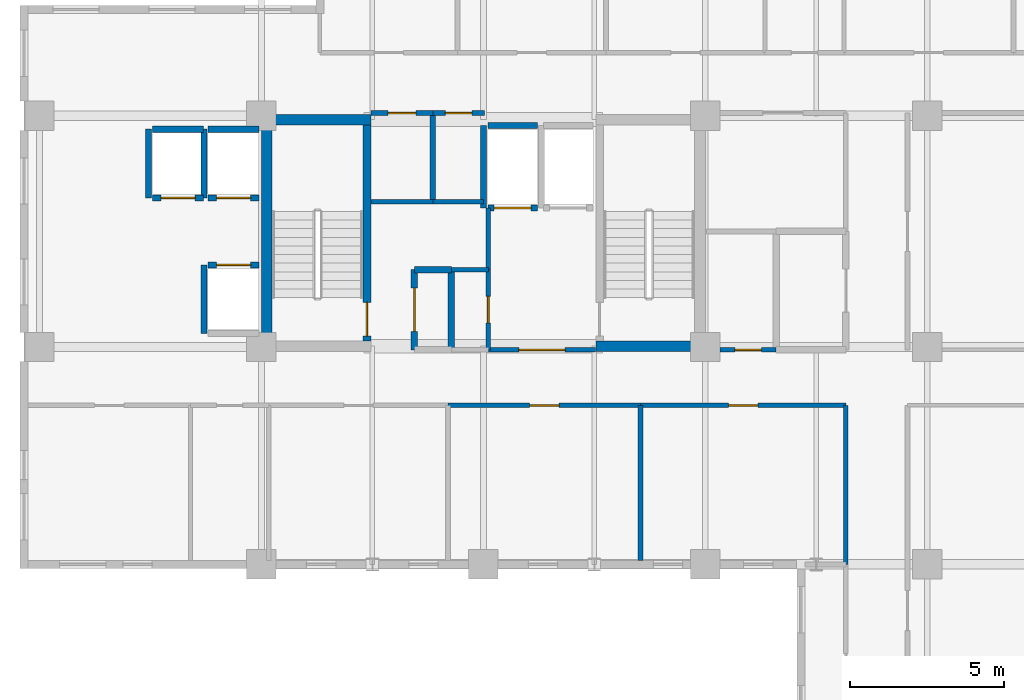
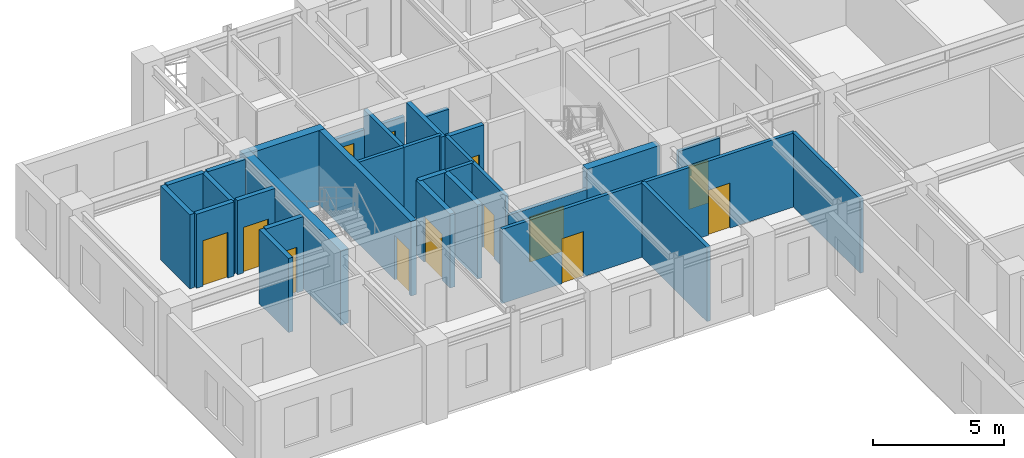
# One storey, part 6 of 13: 32 walls, 13 doors, 13 openings.
"""IFC4 building model written with IfcOpenShell, lengths in metres."""

from ifc_helpers import new_model, si_unit, direction, frame, frame_2d, origin, place, context, subcontext, project, spatial, rectangle, extrude, material, layer, layer_set, type_object, element, fill, save


model = new_model("IFC4")

# Units and contexts
model_context = context("Model", 3, precision=1e-05, world=origin(), true_north=direction((0.0, 1.0)))
body_context = subcontext(model_context, "Body", "Model", "MODEL_VIEW")
ifc_project = project(units=[si_unit("LENGTHUNIT", "METRE"), si_unit("AREAUNIT", "SQUARE_METRE"), si_unit("VOLUMEUNIT", "CUBIC_METRE"), si_unit("PLANEANGLEUNIT", "RADIAN"), si_unit("MASSUNIT", "GRAM", prefix="KILO")], contexts=[model_context])

# Site, building, storey
site_placement = place(None, origin())
site = spatial("IfcSite", under=ifc_project, at=site_placement, CompositionType="ELEMENT")
building_placement = place(site_placement, origin())
building = spatial("IfcBuilding", under=site, at=building_placement, Name="Kaliganga Portal Commons", CompositionType="ELEMENT")
storey_placement = place(building_placement, frame((0.0, 0.0, 224.0)))
storey = spatial("IfcBuildingStorey", under=building, at=storey_placement, Name="L57", CompositionType="ELEMENT", Elevation=224.0)

# Walls
ifc_material_1 = material(Name="Concrete C50/60", Category="concrete")
ifc_layer_1 = layer(ifc_material_1, 0.35009765625)
ifc_layer_set_1 = layer_set([ifc_layer_1], Name="Concrete C50/60")
wall_type_1 = type_object("IfcWallType", Name="WL-CORE-350", PredefinedType="SHEAR", material=ifc_layer_set_1)
wall_1_placement = place(storey_placement, frame((14.574951171875, 28.5, 0.0), z_axis=(0.0, 0.0, 1.0), x_axis=(0.0, 1.0, 0.0)))
element("IfcWall", 1, at=wall_1_placement, inside=storey, type_object=wall_type_1, Name="Core A West Shear Wall L57", PredefinedType="SHEAR", context=body_context, shape_type="SweptSolid", body=[
    extrude(rectangle(XDim=7.699951171875, YDim=0.35009765625, at=frame_2d((3.85009765625, 0.0))), origin(), (0.0, 0.0, 1.0), 3.469970703125),
])
for number, where, z_axis, x_axis, name in (
    (2, (25.25, 28.675048828125, 0.0), (0.0, 0.0, 1.0), (1.0, 0.0, 0.0), "Core A S-East Shear Wall L57"),
    (3, (14.75, 36.02490234375, 0.0), (0.0, 0.0, 1.0), (1.0, 0.0, 0.0), "Core A N-West Shear Wall L57"),
):
    element("IfcWall", number, at=place(storey_placement, frame(where, z_axis=z_axis, x_axis=x_axis)), inside=storey, type_object=wall_type_1, Name=name, PredefinedType="SHEAR", context=body_context, shape_type="SweptSolid", body=[
        extrude(rectangle(XDim=3.199951171875, YDim=0.35009765625, at=frame_2d((1.60009765625, 0.0))), origin(), (0.0, 0.0, 1.0), 3.469970703125),
    ])

# Wall, opening, door
ifc_material_2 = material(Name="Fire-Rated Gypsum Board on Steel Stud", Category="steel")
ifc_layer_2 = layer(ifc_material_2, 0.14990234375)
ifc_layer_set_2 = layer_set([ifc_layer_2], Name="Fire-Rated Gypsum Board on Steel Stud")
wall_type_2 = type_object("IfcWallType", Name="WL-PART-CORR-150", PredefinedType="PARTITIONING", material=ifc_layer_set_2)
wall_2_placement = place(storey_placement, frame((26.699951171875, 26.760009765625, 0.0), z_axis=(0.0, 0.0, 1.0), x_axis=(1.0, 0.0, 0.0)))
wall_2 = element("IfcWall", 4, at=wall_2_placement, inside=storey, type_object=wall_type_2, Name="Interior Partition L57-010", PredefinedType="PARTITIONING", context=body_context, shape_type="SweptSolid", body=[
    extrude(rectangle(XDim=6.66015625, YDim=0.14990234375, at=frame_2d((3.330078125, 0.0))), origin(), (0.0, 0.0, 1.0), 3.449951171875),
])
opening_1_placement = place(wall_2_placement, frame((2.85498046875, 0.0, 0.0)))
opening_1 = element("IfcOpeningElement", 5, at=opening_1_placement, cuts=wall_2, Name="Opening UD-01", PredefinedType="OPENING", context=body_context, shape_type="SweptSolid", body=[
    extrude(rectangle(XDim=0.949951171875, YDim=2.10009765625, at=frame_2d((0.47509765625, 1.050048828125))), frame((0.0, 0.0849609375, 0.0), z_axis=(0.0, -1.0, 0.0), x_axis=(1.0, 0.0, 0.0)), (0.0, 0.0, 1.0), 0.169921875),
])
ifc_material_3 = material(Name="Solid-Core Timber Acoustic Fire Door", Category="wood")
door_type_1 = type_object("IfcDoorType", Name="DR-UNIT-950", OperationType="NOTDEFINED", PredefinedType="DOOR", material=ifc_material_3)
door_1_placement = place(opening_1_placement, origin())
door_1 = element("IfcDoor", 6, at=door_1_placement, inside=storey, type_object=door_type_1, Name="Interior Door L57-AS05", OperationType="SINGLE_SWING_LEFT", OverallHeight=2.10009765625, OverallWidth=0.949951171875, PredefinedType="DOOR", context=body_context, shape_type="SweptSolid", body=[
    extrude(rectangle(XDim=0.949951171875, YDim=2.10009765625, at=frame_2d((0.47509765625, 1.050048828125))), frame((0.0, 0.02490234375, 0.0), z_axis=(0.0, -1.0, 0.0), x_axis=(1.0, 0.0, 0.0)), (0.0, 0.0, 1.0), 0.050048828125),
])
fill(opening_1, door_1)

wall_3_placement = place(storey_placement, frame((20.4599609375, 26.760009765625, 0.0), z_axis=(0.0, 0.0, 1.0), x_axis=(1.0, 0.0, 0.0)))
wall_3 = element("IfcWall", 7, at=wall_3_placement, inside=storey, type_object=wall_type_2, Name="Interior Partition L57-012", PredefinedType="PARTITIONING", context=body_context, shape_type="SweptSolid", body=[
    extrude(rectangle(XDim=6.239990234375, YDim=0.14990234375, at=frame_2d((3.1201171875, 0.0))), origin(), (0.0, 0.0, 1.0), 3.449951171875),
])
opening_2_placement = place(wall_3_placement, frame((2.64501953125, 0.0, 0.0)))
opening_2 = element("IfcOpeningElement", 8, at=opening_2_placement, cuts=wall_3, Name="Opening UD-01", PredefinedType="OPENING", context=body_context, shape_type="SweptSolid", body=[
    extrude(rectangle(XDim=0.949951171875, YDim=2.10009765625, at=frame_2d((0.47509765625, 1.050048828125))), frame((0.0, 0.0849609375, 0.0), z_axis=(0.0, -1.0, 0.0), x_axis=(1.0, 0.0, 0.0)), (0.0, 0.0, 1.0), 0.169921875),
])
door_2_placement = place(opening_2_placement, origin())
door_2 = element("IfcDoor", 9, at=door_2_placement, inside=storey, type_object=door_type_1, Name="Interior Door L57-AS04", OperationType="SINGLE_SWING_LEFT", OverallHeight=2.10009765625, OverallWidth=0.949951171875, PredefinedType="DOOR", context=body_context, shape_type="SweptSolid", body=[
    extrude(rectangle(XDim=0.949951171875, YDim=2.10009765625, at=frame_2d((0.47509765625, 1.050048828125))), frame((0.0, 0.02490234375, 0.0), z_axis=(0.0, -1.0, 0.0), x_axis=(1.0, 0.0, 0.0)), (0.0, 0.0, 1.0), 0.050048828125),
])
fill(opening_2, door_2)

# Wall
wall_4_placement = place(storey_placement, frame((33.360107421875, 21.60009765625, 0.0), z_axis=(0.0, 0.0, 1.0), x_axis=(0.0, 1.0, 0.0)))
element("IfcWall", 10, at=wall_4_placement, inside=storey, type_object=wall_type_2, Name="Interior Partition L57-019", PredefinedType="PARTITIONING", context=body_context, shape_type="SweptSolid", body=[
    extrude(rectangle(XDim=5.159912109375, YDim=0.14990234375, at=frame_2d((2.580078125, 0.0))), origin(), (0.0, 0.0, 1.0), 3.449951171875),
])

# Wall, opening, door
wall_5_placement = place(storey_placement, frame((21.760009765625, 28.56005859375, 0.0), z_axis=(0.0, 0.0, 1.0), x_axis=(0.0, 1.0, 0.0)))
wall_5 = element("IfcWall", 11, at=wall_5_placement, inside=storey, type_object=wall_type_2, Name="Interior Partition L57-028", PredefinedType="PARTITIONING", context=body_context, shape_type="SweptSolid", body=[
    extrude(rectangle(XDim=2.599853515625, YDim=0.14990234375, at=frame_2d((1.2998046875, 0.0))), origin(), (0.0, 0.0, 1.0), 3.449951171875),
])
opening_3_placement = place(wall_5_placement, frame((0.8701171875, 0.0, 0.0)))
opening_3 = element("IfcOpeningElement", 12, at=opening_3_placement, cuts=wall_5, Name="Opening WD-02", PredefinedType="OPENING", context=body_context, shape_type="SweptSolid", body=[
    extrude(rectangle(XDim=0.860107421875, YDim=2.02001953125, at=frame_2d((0.43017578125, 1.010009765625))), frame((0.0, 0.0849609375, 0.0), z_axis=(0.0, -1.0, 0.0), x_axis=(1.0, 0.0, 0.0)), (0.0, 0.0, 1.0), 0.169921875),
])
ifc_material_4 = material(Name="Fire-Rated Utility Closet Door", Category="wood")
door_type_2 = type_object("IfcDoorType", Name="DR-STORE-800", OperationType="NOTDEFINED", PredefinedType="DOOR", material=ifc_material_4)
door_3_placement = place(opening_3_placement, origin())
door_3 = element("IfcDoor", 13, at=door_3_placement, inside=storey, type_object=door_type_2, Name="Interior Door L57-CIN_A2", OperationType="SINGLE_SWING_LEFT", OverallHeight=2.02001953125, OverallWidth=0.860107421875, PredefinedType="DOOR", context=body_context, shape_type="SweptSolid", body=[
    extrude(rectangle(XDim=0.860107421875, YDim=2.02001953125, at=frame_2d((0.43017578125, 1.010009765625))), frame((0.0, 0.02490234375, 0.0), z_axis=(0.0, -1.0, 0.0), x_axis=(1.0, 0.0, 0.0)), (0.0, 0.0, 1.0), 0.050048828125),
])
fill(opening_3, door_3)

wall_6_placement = place(storey_placement, frame((29.27490234375, 28.56005859375, 0.0), z_axis=(0.0, 0.0, 1.0), x_axis=(1.0, 0.0, 0.0)))
wall_6 = element("IfcWall", 14, at=wall_6_placement, inside=storey, type_object=wall_type_2, Name="Interior Partition L57-034", PredefinedType="PARTITIONING", context=body_context, shape_type="SweptSolid", body=[
    extrude(rectangle(XDim=1.8251953125, YDim=0.14990234375, at=frame_2d((0.91259765625, 0.0))), origin(), (0.0, 0.0, 1.0), 2.89990234375),
])
opening_4_placement = place(wall_6_placement, frame((0.482421875, 0.0, 0.0)))
opening_4 = element("IfcOpeningElement", 15, at=opening_4_placement, cuts=wall_6, Name="Opening WD-02", PredefinedType="OPENING", context=body_context, shape_type="SweptSolid", body=[
    extrude(rectangle(XDim=0.860107421875, YDim=2.02001953125, at=frame_2d((0.43017578125, 1.010009765625))), frame((0.0, 0.0849609375, 0.0), z_axis=(0.0, -1.0, 0.0), x_axis=(1.0, 0.0, 0.0)), (0.0, 0.0, 1.0), 0.169921875),
])
door_4_placement = place(opening_4_placement, origin())
door_4 = element("IfcDoor", 16, at=door_4_placement, inside=storey, type_object=door_type_2, Name="Interior Door L57-CSRV_A1", OperationType="SINGLE_SWING_RIGHT", OverallHeight=2.02001953125, OverallWidth=0.860107421875, PredefinedType="DOOR", context=body_context, shape_type="SweptSolid", body=[
    extrude(rectangle(XDim=0.860107421875, YDim=2.02001953125, at=frame_2d((0.43017578125, 1.010009765625))), frame((0.0, 0.02490234375, 0.0), z_axis=(0.0, -1.0, 0.0), x_axis=(1.0, 0.0, 0.0)), (0.0, 0.0, 1.0), 0.050048828125),
])
fill(opening_4, door_4)

# Wall
wall_7_placement = place(storey_placement, frame((17.9599609375, 33.360107421875, 0.0), z_axis=(0.0, 0.0, 1.0), x_axis=(1.0, 0.0, 0.0)))
element("IfcWall", 17, at=wall_7_placement, inside=storey, type_object=wall_type_2, Name="Interior Partition L57-036", PredefinedType="PARTITIONING", context=body_context, shape_type="SweptSolid", body=[
    extrude(rectangle(XDim=2.0, YDim=0.14990234375, at=frame_2d((1.0, 0.0))), origin(), (0.0, 0.0, 1.0), 3.449951171875),
])

# Wall, opening, door
wall_8_placement = place(storey_placement, frame((17.9599609375, 36.239990234375, 0.0), z_axis=(0.0, 0.0, 1.0), x_axis=(1.0, 0.0, 0.0)))
wall_8 = element("IfcWall", 18, at=wall_8_placement, inside=storey, type_object=wall_type_2, Name="Interior Partition L57-037", PredefinedType="PARTITIONING", context=body_context, shape_type="SweptSolid", body=[
    extrude(rectangle(XDim=2.0, YDim=0.14990234375, at=frame_2d((1.0, 0.0))), origin(), (0.0, 0.0, 1.0), 2.550048828125),
])
opening_5_placement = place(wall_8_placement, frame((0.550048828125, 0.0, 0.0)))
opening_5 = element("IfcOpeningElement", 19, at=opening_5_placement, cuts=wall_8, Name="Opening RD-01", PredefinedType="OPENING", context=body_context, shape_type="SweptSolid", body=[
    extrude(rectangle(XDim=0.89990234375, YDim=2.080078125, at=frame_2d((0.449951171875, 1.0400390625))), frame((0.0, 0.0849609375, 0.0), z_axis=(0.0, -1.0, 0.0), x_axis=(1.0, 0.0, 0.0)), (0.0, 0.0, 1.0), 0.169921875),
])
ifc_material_5 = material(Name="Engineered Timber Flush Door", Category="wood")
door_type_3 = type_object("IfcDoorType", Name="DR-ROOM-900", OperationType="NOTDEFINED", PredefinedType="DOOR", material=ifc_material_5)
door_5_placement = place(opening_5_placement, origin())
door_5 = element("IfcDoor", 20, at=door_5_placement, inside=storey, type_object=door_type_3, Name="Interior Door L57-CREC_A1", OperationType="SINGLE_SWING_LEFT", OverallHeight=2.080078125, OverallWidth=0.89990234375, PredefinedType="DOOR", context=body_context, shape_type="SweptSolid", body=[
    extrude(rectangle(XDim=0.89990234375, YDim=2.080078125, at=frame_2d((0.449951171875, 1.0400390625))), frame((0.0, 0.02490234375, 0.0), z_axis=(0.0, -1.0, 0.0), x_axis=(1.0, 0.0, 0.0)), (0.0, 0.0, 1.0), 0.050048828125),
])
fill(opening_5, door_5)

# Wall
wall_9_placement = place(storey_placement, frame((19.9599609375, 33.360107421875, 0.0), z_axis=(0.0, 0.0, 1.0), x_axis=(1.0, 0.0, 0.0)))
element("IfcWall", 21, at=wall_9_placement, inside=storey, type_object=wall_type_2, Name="Interior Partition L57-039", PredefinedType="PARTITIONING", context=body_context, shape_type="SweptSolid", body=[
    extrude(rectangle(XDim=1.650146484375, YDim=0.14990234375, at=frame_2d((0.8251953125, 0.0))), origin(), (0.0, 0.0, 1.0), 3.449951171875),
])

# Wall, opening, door
wall_10_placement = place(storey_placement, frame((19.9599609375, 36.239990234375, 0.0), z_axis=(0.0, 0.0, 1.0), x_axis=(1.0, 0.0, 0.0)))
wall_10 = element("IfcWall", 22, at=wall_10_placement, inside=storey, type_object=wall_type_2, Name="Interior Partition L57-040", PredefinedType="PARTITIONING", context=body_context, shape_type="SweptSolid", body=[
    extrude(rectangle(XDim=1.679931640625, YDim=0.14990234375, at=frame_2d((0.83984375, 0.0))), origin(), (0.0, 0.0, 1.0), 2.550048828125),
])
opening_6_placement = place(wall_10_placement, frame((0.409912109375, 0.0, 0.0)))
opening_6 = element("IfcOpeningElement", 23, at=opening_6_placement, cuts=wall_10, Name="Opening WD-02", PredefinedType="OPENING", context=body_context, shape_type="SweptSolid", body=[
    extrude(rectangle(XDim=0.860107421875, YDim=2.02001953125, at=frame_2d((0.43017578125, 1.010009765625))), frame((0.0, 0.0849609375, 0.0), z_axis=(0.0, -1.0, 0.0), x_axis=(1.0, 0.0, 0.0)), (0.0, 0.0, 1.0), 0.169921875),
])
door_6_placement = place(opening_6_placement, origin())
door_6 = element("IfcDoor", 24, at=door_6_placement, inside=storey, type_object=door_type_2, Name="Interior Door L57-CREC_A2", OperationType="SINGLE_SWING_LEFT", OverallHeight=2.02001953125, OverallWidth=0.860107421875, PredefinedType="DOOR", context=body_context, shape_type="SweptSolid", body=[
    extrude(rectangle(XDim=0.860107421875, YDim=2.02001953125, at=frame_2d((0.43017578125, 1.010009765625))), frame((0.0, 0.02490234375, 0.0), z_axis=(0.0, -1.0, 0.0), x_axis=(1.0, 0.0, 0.0)), (0.0, 0.0, 1.0), 0.050048828125),
])
fill(opening_6, door_6)

# Wall
wall_11_placement = place(storey_placement, frame((20.56005859375, 31.159912109375, 0.0), z_axis=(0.0, 0.0, 1.0), x_axis=(1.0, 0.0, 0.0)))
element("IfcWall", 25, at=wall_11_placement, inside=storey, type_object=wall_type_2, Name="Interior Partition L57-042", PredefinedType="PARTITIONING", context=body_context, shape_type="SweptSolid", body=[
    extrude(rectangle(XDim=1.199951171875, YDim=0.14990234375, at=frame_2d((0.60009765625, 0.0))), origin(), (0.0, 0.0, 1.0), 3.449951171875),
])

# Wall, opening, door
wall_12_placement = place(storey_placement, frame((21.760009765625, 28.56005859375, 0.0), z_axis=(0.0, 0.0, 1.0), x_axis=(1.0, 0.0, 0.0)))
wall_12 = element("IfcWall", 26, at=wall_12_placement, inside=storey, type_object=wall_type_2, Name="Interior Partition L57-073", PredefinedType="PARTITIONING", context=body_context, shape_type="SweptSolid", body=[
    extrude(rectangle(XDim=3.47998046875, YDim=0.14990234375, at=frame_2d((1.739990234375, 0.0))), origin(), (0.0, 0.0, 1.0), 2.550048828125),
])
opening_7_placement = place(wall_12_placement, frame((0.989990234375, 0.0, 0.0)))
opening_7 = element("IfcOpeningElement", 27, at=opening_7_placement, cuts=wall_12, Name="Opening FD-01", PredefinedType="OPENING", context=body_context, shape_type="SweptSolid", body=[
    extrude(rectangle(XDim=1.5, YDim=2.10009765625, at=frame_2d((0.75, 1.050048828125))), frame((0.0, 0.0849609375, 0.0), z_axis=(0.0, -1.0, 0.0), x_axis=(1.0, 0.0, 0.0)), (0.0, 0.0, 1.0), 0.169921875),
])
ifc_material_6 = material(Name="Fire-Rated Hardwood and Georgian-Wired Vision Panel", Category="wood")
door_type_4 = type_object("IfcDoorType", Name="DR-LOBBY-1500", OperationType="DOUBLE_DOOR_SINGLE_SWING", PredefinedType="DOOR", material=ifc_material_6)
door_7_placement = place(opening_7_placement, origin())
door_7 = element("IfcDoor", 28, at=door_7_placement, inside=storey, type_object=door_type_4, Name="Interior Door L57-FFLOB_A", OperationType="DOUBLE_DOOR_SINGLE_SWING", OverallHeight=2.10009765625, OverallWidth=1.5, PredefinedType="DOOR", context=body_context, shape_type="SweptSolid", body=[
    extrude(rectangle(XDim=1.5, YDim=2.10009765625, at=frame_2d((0.75, 1.050048828125))), frame((0.0, 0.02490234375, 0.0), z_axis=(0.0, -1.0, 0.0), x_axis=(1.0, 0.0, 0.0)), (0.0, 0.0, 1.0), 0.050048828125),
])
fill(opening_7, door_7)

# Wall
wall_13_placement = place(storey_placement, frame((21.760009765625, 31.159912109375, 0.0), z_axis=(0.0, 0.0, 1.0), x_axis=(0.0, 1.0, 0.0)))
element("IfcWall", 29, at=wall_13_placement, inside=storey, type_object=wall_type_2, Name="Interior Partition L57-081", PredefinedType="PARTITIONING", context=body_context, shape_type="SweptSolid", body=[
    extrude(rectangle(XDim=2.0, YDim=0.14990234375, at=frame_2d((1.0, 0.0))), origin(), (0.0, 0.0, 1.0), 3.449951171875),
])

# Wall, opening, door
ifc_material_7 = material(Name="Lightweight blockwork masonry", Category="masonry")
ifc_layer_3 = layer(ifc_material_7, 0.215087890625)
ifc_layer_set_3 = layer_set([ifc_layer_3], Name="Lightweight blockwork masonry")
wall_type_3 = type_object("IfcWallType", Name="WL-PART-PLANT-215", PredefinedType="PARTITIONING", material=ifc_layer_set_3)
wall_14_placement = place(storey_placement, frame((19.360107421875, 28.56005859375, 0.0), z_axis=(0.0, 0.0, 1.0), x_axis=(0.0, 1.0, 0.0)))
wall_14 = element("IfcWall", 30, at=wall_14_placement, inside=storey, type_object=wall_type_3, Name="Interior Partition L57-027", PredefinedType="PARTITIONING", context=body_context, shape_type="SweptSolid", body=[
    extrude(rectangle(XDim=2.599853515625, YDim=0.215087890625, at=frame_2d((1.2998046875, 0.0))), origin(), (0.0, 0.0, 1.0), 3.449951171875),
])
opening_8_placement = place(wall_14_placement, frame((0.60009765625, 0.0, 0.0)))
opening_8 = element("IfcOpeningElement", 31, at=opening_8_placement, cuts=wall_14, Name="Opening PD-01", PredefinedType="OPENING", context=body_context, shape_type="SweptSolid", body=[
    extrude(rectangle(XDim=1.39990234375, YDim=2.14990234375, at=frame_2d((0.699951171875, 1.074951171875))), frame((0.0, 0.11767578125, 0.0), z_axis=(0.0, -1.0, 0.0), x_axis=(1.0, 0.0, 0.0)), (0.0, 0.0, 1.0), 0.235107421875),
])
ifc_material_8 = material(Name="Heavy-Duty Steel Acoustic Louvre Fire Door", Category="steel")
door_type_5 = type_object("IfcDoorType", Name="DR-PLANT-1400", OperationType="DOUBLE_DOOR_SINGLE_SWING", PredefinedType="DOOR", material=ifc_material_8)
door_8_placement = place(opening_8_placement, origin())
door_8 = element("IfcDoor", 32, at=door_8_placement, inside=storey, type_object=door_type_5, Name="Interior Door L57-CIN_A1", OperationType="DOUBLE_DOOR_SINGLE_SWING", OverallHeight=2.14990234375, OverallWidth=1.39990234375, PredefinedType="DOOR", context=body_context, shape_type="SweptSolid", body=[
    extrude(rectangle(XDim=1.39990234375, YDim=2.14990234375, at=frame_2d((0.699951171875, 1.074951171875))), frame((0.0, 0.02490234375, 0.0), z_axis=(0.0, -1.0, 0.0), x_axis=(1.0, 0.0, 0.0)), (0.0, 0.0, 1.0), 0.050048828125),
])
fill(opening_8, door_8)

# Walls
wall_15_placement = place(storey_placement, frame((19.360107421875, 31.159912109375, 0.0), z_axis=(0.0, 0.0, 1.0), x_axis=(1.0, 0.0, 0.0)))
element("IfcWall", 33, at=wall_15_placement, inside=storey, type_object=wall_type_3, Name="Interior Partition L57-044", PredefinedType="PARTITIONING", context=body_context, shape_type="SweptSolid", body=[
    extrude(rectangle(XDim=1.199951171875, YDim=0.215087890625, at=frame_2d((0.60009765625, 0.0))), origin(), (0.0, 0.0, 1.0), 3.449951171875),
])
wall_16_placement = place(storey_placement, frame((20.56005859375, 28.56005859375, 0.0), z_axis=(0.0, 0.0, 1.0), x_axis=(0.0, 1.0, 0.0)))
element("IfcWall", 34, at=wall_16_placement, inside=storey, type_object=wall_type_3, Name="Interior Partition L57-075", PredefinedType="PARTITIONING", context=body_context, shape_type="SweptSolid", body=[
    extrude(rectangle(XDim=2.599853515625, YDim=0.215087890625, at=frame_2d((1.2998046875, 0.0))), origin(), (0.0, 0.0, 1.0), 3.449951171875),
])
ifc_material_9 = material(Name="Twin-Stud Acoustic Gypsum Partition", Category="gypsum")
ifc_layer_4 = layer(ifc_material_9, 0.1650390625)
ifc_layer_set_4 = layer_set([ifc_layer_4], Name="Twin-Stud Acoustic Gypsum Partition")
wall_type_4 = type_object("IfcWallType", Name="WL-PART-UNIT-165", PredefinedType="PARTITIONING", material=ifc_layer_set_4)
wall_17_placement = place(storey_placement, frame((26.699951171875, 21.73193359375, 0.0), z_axis=(0.0, 0.0, 1.0), x_axis=(0.0, 1.0, 0.0)))
element("IfcWall", 35, at=wall_17_placement, inside=storey, type_object=wall_type_4, Name="Interior Partition L57-061", PredefinedType="PARTITIONING", context=body_context, shape_type="SweptSolid", body=[
    extrude(rectangle(XDim=5.028076171875, YDim=0.1650390625, at=frame_2d((2.51416015625, 0.0))), origin(), (0.0, 0.0, 1.0), 3.449951171875),
])
wall_18_placement = place(storey_placement, frame((19.9599609375, 33.360107421875, 0.0), z_axis=(0.0, 0.0, 1.0), x_axis=(0.0, 1.0, 0.0)))
element("IfcWall", 36, at=wall_18_placement, inside=storey, type_object=wall_type_4, Name="Interior Partition L57-074", PredefinedType="PARTITIONING", context=body_context, shape_type="SweptSolid", body=[
    extrude(rectangle(XDim=2.8798828125, YDim=0.1650390625, at=frame_2d((1.43994140625, 0.0))), origin(), (0.0, 0.0, 1.0), 3.449951171875),
])

# Wall, opening, door
ifc_material_10 = material(Name="Fire-Rated Shaftwall Masonry Assembly", Category="masonry")
ifc_layer_5 = layer(ifc_material_10, 0.199951171875)
ifc_layer_set_5 = layer_set([ifc_layer_5], Name="Fire-Rated Shaftwall Masonry Assembly")
wall_type_5 = type_object("IfcWallType", Name="WL-SHAFT-200", PredefinedType="PARTITIONING", material=ifc_layer_set_5)
wall_19_placement = place(storey_placement, frame((12.675048828125, 33.485107421875, 0.0), z_axis=(0.0, 0.0, 1.0), x_axis=(1.0, 0.0, 0.0)))
wall_19 = element("IfcWall", 37, at=wall_19_placement, inside=storey, type_object=wall_type_5, Name="Lift PL-A3 Hoistway Shaft Wall L57-S", PredefinedType="PARTITIONING", context=body_context, shape_type="SweptSolid", body=[
    extrude(rectangle(XDim=1.64990234375, YDim=0.199951171875, at=frame_2d((0.824951171875, 0.0))), origin(), (0.0, 0.0, 1.0), 3.449951171875),
])
opening_9_placement = place(wall_19_placement, frame((0.27490234375, 0.0, 0.0)))
opening_9 = element("IfcOpeningElement", 38, at=opening_9_placement, cuts=wall_19, Name="Opening LD-01", PredefinedType="OPENING", context=body_context, shape_type="SweptSolid", body=[
    extrude(rectangle(XDim=1.10009765625, YDim=2.1201171875, at=frame_2d((0.550048828125, 1.06005859375))), frame((0.0, 0.10986328125, 0.0), z_axis=(0.0, -1.0, 0.0), x_axis=(1.0, 0.0, 0.0)), (0.0, 0.0, 1.0), 0.219970703125),
])
ifc_material_11 = material(Name="Brushed Stainless Steel 316 Lift Landing Door", Category="steel")
door_type_6 = type_object("IfcDoorType", Name="DR-LIFT-1100", OperationType="SLIDING_TO_LEFT", PredefinedType="DOOR", material=ifc_material_11)
door_9_placement = place(opening_9_placement, origin())
door_9 = element("IfcDoor", 39, at=door_9_placement, inside=storey, type_object=door_type_6, Name="Lift PL-A3 Sliding Landing Door L57", OperationType="SLIDING_TO_LEFT", OverallHeight=2.1201171875, OverallWidth=1.10009765625, PredefinedType="DOOR", context=body_context, shape_type="SweptSolid", body=[
    extrude(rectangle(XDim=1.10009765625, YDim=2.1201171875, at=frame_2d((0.550048828125, 1.06005859375))), frame((0.0, 0.02490234375, 0.0), z_axis=(0.0, -1.0, 0.0), x_axis=(1.0, 0.0, 0.0)), (0.0, 0.0, 1.0), 0.050048828125),
])
fill(opening_9, door_9)

# Walls
wall_20_placement = place(storey_placement, frame((12.675048828125, 35.715087890625, 0.0), z_axis=(0.0, 0.0, 1.0), x_axis=(1.0, 0.0, 0.0)))
element("IfcWall", 40, at=wall_20_placement, inside=storey, type_object=wall_type_5, Name="Lift PL-A3 Hoistway Shaft Wall L57-N", PredefinedType="PARTITIONING", context=body_context, shape_type="SweptSolid", body=[
    extrude(rectangle(XDim=1.64990234375, YDim=0.199951171875, at=frame_2d((0.824951171875, 0.0))), origin(), (0.0, 0.0, 1.0), 3.449951171875),
])
wall_21_placement = place(storey_placement, frame((12.534912109375, 33.485107421875, 0.0), z_axis=(0.0, 0.0, 1.0), x_axis=(0.0, 1.0, 0.0)))
element("IfcWall", 41, at=wall_21_placement, inside=storey, type_object=wall_type_5, Name="Lift PL-A3 Hoistway Shaft Wall L57-W", PredefinedType="PARTITIONING", context=body_context, shape_type="SweptSolid", body=[
    extrude(rectangle(XDim=2.22998046875, YDim=0.199951171875, at=frame_2d((1.114990234375, 0.0))), origin(), (0.0, 0.0, 1.0), 3.449951171875),
])

# Wall, opening, door
wall_22_placement = place(storey_placement, frame((12.675048828125, 31.31494140625, 0.0), z_axis=(0.0, 0.0, 1.0), x_axis=(1.0, 0.0, 0.0)))
wall_22 = element("IfcWall", 42, at=wall_22_placement, inside=storey, type_object=wall_type_5, Name="Lift PL-A4 Hoistway Shaft Wall L57-N", PredefinedType="PARTITIONING", context=body_context, shape_type="SweptSolid", body=[
    extrude(rectangle(XDim=1.64990234375, YDim=0.199951171875, at=frame_2d((0.824951171875, 0.0))), origin(), (0.0, 0.0, 1.0), 3.449951171875),
])
opening_10_placement = place(wall_22_placement, frame((0.27490234375, 0.0, 0.0)))
opening_10 = element("IfcOpeningElement", 43, at=opening_10_placement, cuts=wall_22, Name="Opening LD-01", PredefinedType="OPENING", context=body_context, shape_type="SweptSolid", body=[
    extrude(rectangle(XDim=1.10009765625, YDim=2.1201171875, at=frame_2d((0.550048828125, 1.06005859375))), frame((0.0, 0.10986328125, 0.0), z_axis=(0.0, -1.0, 0.0), x_axis=(1.0, 0.0, 0.0)), (0.0, 0.0, 1.0), 0.219970703125),
])
door_10_placement = place(opening_10_placement, origin())
door_10 = element("IfcDoor", 44, at=door_10_placement, inside=storey, type_object=door_type_6, Name="Lift PL-A4 Sliding Landing Door L57", OperationType="SLIDING_TO_LEFT", OverallHeight=2.1201171875, OverallWidth=1.10009765625, PredefinedType="DOOR", context=body_context, shape_type="SweptSolid", body=[
    extrude(rectangle(XDim=1.10009765625, YDim=2.1201171875, at=frame_2d((0.550048828125, 1.06005859375))), frame((0.0, 0.02490234375, 0.0), z_axis=(0.0, -1.0, 0.0), x_axis=(1.0, 0.0, 0.0)), (0.0, 0.0, 1.0), 0.050048828125),
])
fill(opening_10, door_10)

# Wall
wall_23_placement = place(storey_placement, frame((12.534912109375, 29.0849609375, 0.0), z_axis=(0.0, 0.0, 1.0), x_axis=(0.0, 1.0, 0.0)))
element("IfcWall", 45, at=wall_23_placement, inside=storey, type_object=wall_type_5, Name="Lift PL-A4 Hoistway Shaft Wall L57-W", PredefinedType="PARTITIONING", context=body_context, shape_type="SweptSolid", body=[
    extrude(rectangle(XDim=2.22998046875, YDim=0.199951171875, at=frame_2d((1.114990234375, 0.0))), origin(), (0.0, 0.0, 1.0), 3.449951171875),
])

# Wall, opening, door
wall_24_placement = place(storey_placement, frame((10.875, 33.485107421875, 0.0), z_axis=(0.0, 0.0, 1.0), x_axis=(1.0, 0.0, 0.0)))
wall_24 = element("IfcWall", 46, at=wall_24_placement, inside=storey, type_object=wall_type_5, Name="Lift PL-OBS Hoistway Shaft Wall L57-S", PredefinedType="PARTITIONING", context=body_context, shape_type="SweptSolid", body=[
    extrude(rectangle(XDim=1.64990234375, YDim=0.199951171875, at=frame_2d((0.824951171875, 0.0))), origin(), (0.0, 0.0, 1.0), 3.449951171875),
])
opening_11_placement = place(wall_24_placement, frame((0.27490234375, 0.0, 0.0)))
opening_11 = element("IfcOpeningElement", 47, at=opening_11_placement, cuts=wall_24, Name="Opening LD-01", PredefinedType="OPENING", context=body_context, shape_type="SweptSolid", body=[
    extrude(rectangle(XDim=1.10009765625, YDim=2.1201171875, at=frame_2d((0.550048828125, 1.06005859375))), frame((0.0, 0.10986328125, 0.0), z_axis=(0.0, -1.0, 0.0), x_axis=(1.0, 0.0, 0.0)), (0.0, 0.0, 1.0), 0.219970703125),
])
door_11_placement = place(opening_11_placement, origin())
door_11 = element("IfcDoor", 48, at=door_11_placement, inside=storey, type_object=door_type_6, Name="Lift PL-OBS Sliding Landing Door L57", OperationType="SLIDING_TO_LEFT", OverallHeight=2.1201171875, OverallWidth=1.10009765625, PredefinedType="DOOR", context=body_context, shape_type="SweptSolid", body=[
    extrude(rectangle(XDim=1.10009765625, YDim=2.1201171875, at=frame_2d((0.550048828125, 1.06005859375))), frame((0.0, 0.02490234375, 0.0), z_axis=(0.0, -1.0, 0.0), x_axis=(1.0, 0.0, 0.0)), (0.0, 0.0, 1.0), 0.050048828125),
])
fill(opening_11, door_11)

# Walls
wall_25_placement = place(storey_placement, frame((10.875, 35.715087890625, 0.0), z_axis=(0.0, 0.0, 1.0), x_axis=(1.0, 0.0, 0.0)))
element("IfcWall", 49, at=wall_25_placement, inside=storey, type_object=wall_type_5, Name="Lift PL-OBS Hoistway Shaft Wall L57-N", PredefinedType="PARTITIONING", context=body_context, shape_type="SweptSolid", body=[
    extrude(rectangle(XDim=1.64990234375, YDim=0.199951171875, at=frame_2d((0.824951171875, 0.0))), origin(), (0.0, 0.0, 1.0), 3.449951171875),
])
wall_26_placement = place(storey_placement, frame((10.735107421875, 33.485107421875, 0.0), z_axis=(0.0, 0.0, 1.0), x_axis=(0.0, 1.0, 0.0)))
element("IfcWall", 50, at=wall_26_placement, inside=storey, type_object=wall_type_5, Name="Lift PL-OBS Hoistway Shaft Wall L57-W", PredefinedType="PARTITIONING", context=body_context, shape_type="SweptSolid", body=[
    extrude(rectangle(XDim=2.22998046875, YDim=0.199951171875, at=frame_2d((1.114990234375, 0.0))), origin(), (0.0, 0.0, 1.0), 3.449951171875),
])

# Wall, opening, door
wall_27_placement = place(storey_placement, frame((21.75, 33.159912109375, 0.0), z_axis=(0.0, 0.0, 1.0), x_axis=(1.0, 0.0, 0.0)))
wall_27 = element("IfcWall", 51, at=wall_27_placement, inside=storey, type_object=wall_type_5, Name="Lift FFL-1 Hoistway Shaft Wall L57-S", PredefinedType="PARTITIONING", context=body_context, shape_type="SweptSolid", body=[
    extrude(rectangle(XDim=1.60009765625, YDim=0.199951171875, at=frame_2d((0.800048828125, 0.0))), origin(), (0.0, 0.0, 1.0), 3.449951171875),
])
opening_12_placement = place(wall_27_placement, frame((0.199951171875, 0.0, 0.0)))
opening_12 = element("IfcOpeningElement", 52, at=opening_12_placement, cuts=wall_27, Name="Opening LD-02", PredefinedType="OPENING", context=body_context, shape_type="SweptSolid", body=[
    extrude(rectangle(XDim=1.199951171875, YDim=2.1201171875, at=frame_2d((0.60009765625, 1.06005859375))), frame((0.0, 0.10986328125, 0.0), z_axis=(0.0, -1.0, 0.0), x_axis=(1.0, 0.0, 0.0)), (0.0, 0.0, 1.0), 0.219970703125),
])
ifc_material_12 = material(Name="Brushed Stainless Steel 316 Stretcher Lift Landing Door", Category="steel")
door_type_7 = type_object("IfcDoorType", Name="DR-LIFT-1200", OperationType="SLIDING_TO_RIGHT", PredefinedType="DOOR", material=ifc_material_12)
door_12_placement = place(opening_12_placement, origin())
door_12 = element("IfcDoor", 53, at=door_12_placement, inside=storey, type_object=door_type_7, Name="Lift FFL-1 Sliding Landing Door L57", OperationType="SLIDING_TO_RIGHT", OverallHeight=2.1201171875, OverallWidth=1.199951171875, PredefinedType="DOOR", context=body_context, shape_type="SweptSolid", body=[
    extrude(rectangle(XDim=1.199951171875, YDim=2.1201171875, at=frame_2d((0.60009765625, 1.06005859375))), frame((0.0, 0.02490234375, 0.0), z_axis=(0.0, -1.0, 0.0), x_axis=(1.0, 0.0, 0.0)), (0.0, 0.0, 1.0), 0.050048828125),
])
fill(opening_12, door_12)

# Walls
wall_28_placement = place(storey_placement, frame((21.75, 35.840087890625, 0.0), z_axis=(0.0, 0.0, 1.0), x_axis=(1.0, 0.0, 0.0)))
element("IfcWall", 54, at=wall_28_placement, inside=storey, type_object=wall_type_5, Name="Lift FFL-1 Hoistway Shaft Wall L57-N", PredefinedType="PARTITIONING", context=body_context, shape_type="SweptSolid", body=[
    extrude(rectangle(XDim=1.60009765625, YDim=0.199951171875, at=frame_2d((0.800048828125, 0.0))), origin(), (0.0, 0.0, 1.0), 2.550048828125),
])
wall_29_placement = place(storey_placement, frame((21.610107421875, 33.159912109375, 0.0), z_axis=(0.0, 0.0, 1.0), x_axis=(0.0, 1.0, 0.0)))
element("IfcWall", 55, at=wall_29_placement, inside=storey, type_object=wall_type_5, Name="Lift FFL-1 Hoistway Shaft Wall L57-W", PredefinedType="PARTITIONING", context=body_context, shape_type="SweptSolid", body=[
    extrude(rectangle(XDim=2.68017578125, YDim=0.199951171875, at=frame_2d((1.340087890625, 0.0))), origin(), (0.0, 0.0, 1.0), 3.449951171875),
])

# Wall, opening, door
ifc_layer_6 = layer(ifc_material_1, 0.25)
ifc_layer_set_6 = layer_set([ifc_layer_6], Name="Concrete C50/60")
wall_type_6 = type_object("IfcWallType", Name="WL-STAIR-250", PredefinedType="SHEAR", material=ifc_layer_set_6)
wall_30_placement = place(storey_placement, frame((17.824951171875, 28.85009765625, 0.0), z_axis=(0.0, 0.0, 1.0), x_axis=(0.0, 1.0, 0.0)))
wall_30 = element("IfcWall", 56, at=wall_30_placement, inside=storey, type_object=wall_type_6, Name="Stair A1 Enclosure Shear Wall L57", PredefinedType="SHEAR", context=body_context, shape_type="SweptSolid", body=[
    extrude(rectangle(XDim=7.0, YDim=0.25, at=frame_2d((3.5, 0.0))), origin(), (0.0, 0.0, 1.0), 3.469970703125),
])
opening_13_placement = place(wall_30_placement, frame((0.14990234375, 0.0, 0.0)))
opening_13 = element("IfcOpeningElement", 57, at=opening_13_placement, cuts=wall_30, Name="Opening SD-01", PredefinedType="OPENING", context=body_context, shape_type="SweptSolid", body=[
    extrude(rectangle(XDim=1.10009765625, YDim=2.080078125, at=frame_2d((0.550048828125, 1.0400390625))), frame((0.0, 0.135009765625, 0.0), z_axis=(0.0, -1.0, 0.0), x_axis=(1.0, 0.0, 0.0)), (0.0, 0.0, 1.0), 0.27001953125),
])
ifc_material_13 = material(Name="Galvanized Steel Fire Door Leaf and Frame", Category="steel")
door_type_8 = type_object("IfcDoorType", Name="DR-STAIR-1100", OperationType="NOTDEFINED", PredefinedType="DOOR", material=ifc_material_13)
door_13_placement = place(opening_13_placement, origin())
door_13 = element("IfcDoor", 58, at=door_13_placement, inside=storey, type_object=door_type_8, Name="Protected Stair ST-A1 Fire Door L57", OperationType="SINGLE_SWING_LEFT", OverallHeight=2.080078125, OverallWidth=1.10009765625, PredefinedType="DOOR", context=body_context, shape_type="SweptSolid", body=[
    extrude(rectangle(XDim=1.10009765625, YDim=2.080078125, at=frame_2d((0.550048828125, 1.0400390625))), frame((0.0, 0.02490234375, 0.0), z_axis=(0.0, -1.0, 0.0), x_axis=(1.0, 0.0, 0.0)), (0.0, 0.0, 1.0), 0.050048828125),
])
fill(opening_13, door_13)

save(model, "model.ifc")
